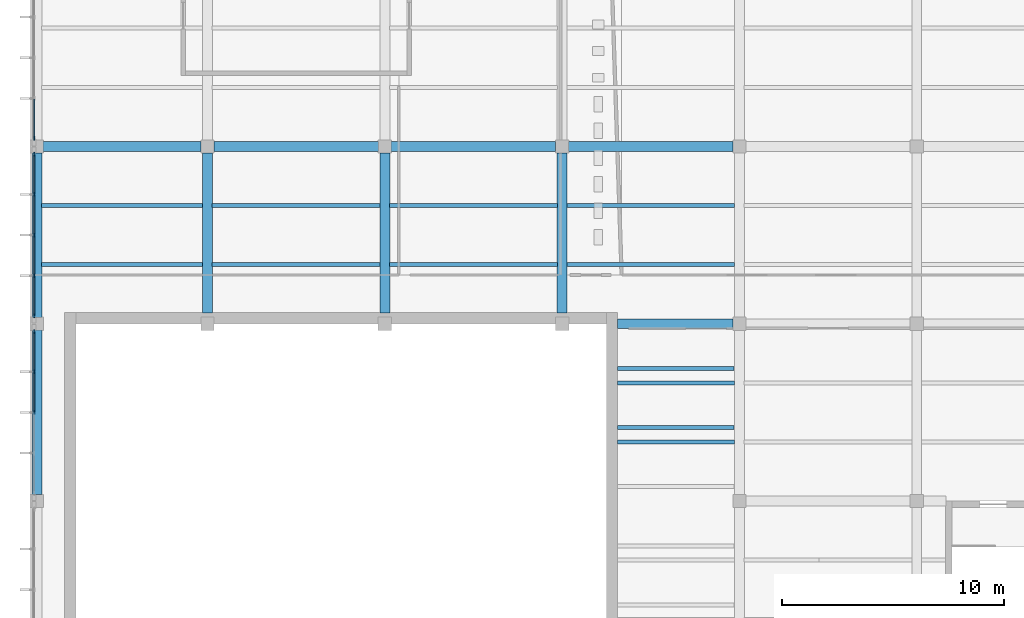
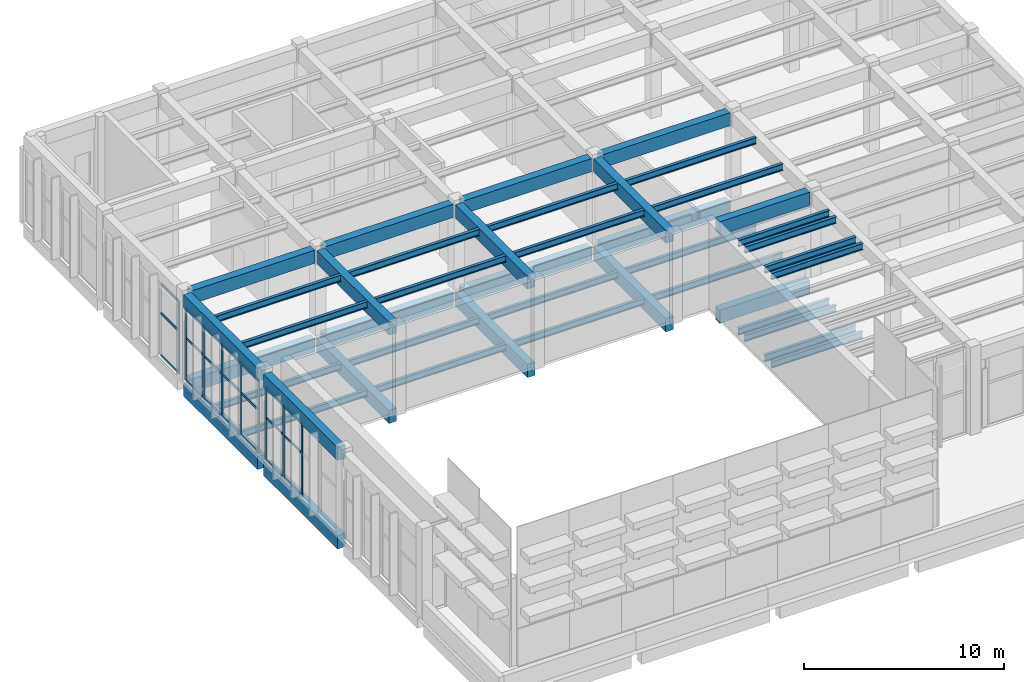
# One storey, part 6 of 94: 44 beams, 30 members, 3 elements without a shape of their own.
"""IFC4 building model written with IfcOpenShell, lengths in metres."""

import ifcopenshell
import ifcopenshell.guid

model = None  # the IFC model being written
_history = None  # IfcOwnerHistory: only IFC2X3 demands one
_inside = {}  # id of a spatial element -> (the spatial element, [elements in it])
_under = {}  # id of a project, library or spatial element -> (it, [spatial elements below it])
_declared = {}  # id of a project -> (the project, [libraries it declares])
_typed = {}  # id of a type object -> (the type object, [elements of that type])
_made_of = {}  # id of a material, layer set ... -> (it, [elements and type objects made of it])


def new_model(schema):
    """Start an empty IFC model of exactly this schema.

    Asked for "IFC4X3", IfcOpenShell would pick the latest addendum, in which some entities
    have other attributes; the version numbers below select the first issue.
    IFC2X3 requires an IfcOwnerHistory on every rooted entity: one is made here for all.
    """
    global model, _history
    if schema == "IFC4X3":
        model = ifcopenshell.file(schema_version=(4, 3, 0, 0))
    else:
        model = ifcopenshell.file(schema=schema)
    _inside.clear()
    _under.clear()
    _declared.clear()
    _typed.clear()
    _made_of.clear()
    _history = None
    if model.schema == "IFC2X3":
        org = make("IfcOrganization", Name="unknown")
        user = make(
            "IfcPersonAndOrganization",
            ThePerson=make("IfcPerson", FamilyName="unknown"),
            TheOrganization=org,
        )
        app = make(
            "IfcApplication",
            ApplicationDeveloper=org,
            Version="unknown",
            ApplicationFullName="unknown",
            ApplicationIdentifier="unknown",
        )
        _history = make(
            "IfcOwnerHistory",
            OwningUser=user,
            OwningApplication=app,
            ChangeAction="ADDED",
            CreationDate=0,
        )
    return model


def make(cls, **values):
    """One entity of the class cls with the attributes given. An attribute that is None is left unset."""
    return model.create_entity(
        cls, **{name: value for name, value in values.items() if value is not None}
    )


def rooted(cls, **values):
    """An entity with a GlobalId (a new one), such as an element, a storey or a relation."""
    return make(cls, GlobalId=ifcopenshell.guid.new(), OwnerHistory=_history, **values)


def si_unit(unit_type, name, prefix=None):
    """IfcSIUnit, for example si_unit("LENGTHUNIT", "METRE", prefix="MILLI")."""
    return make("IfcSIUnit", UnitType=unit_type, Prefix=prefix, Name=name)


def assignment(units):
    """IfcUnitAssignment: the units of a project."""
    return None if units is None else make("IfcUnitAssignment", Units=units)


def point(xyz):
    """IfcCartesianPoint."""
    return None if xyz is None else make("IfcCartesianPoint", Coordinates=xyz)


def direction(xyz):
    """IfcDirection."""
    return None if xyz is None else make("IfcDirection", DirectionRatios=xyz)


def frame(location, z_axis=None, x_axis=None):
    """IfcAxis2Placement3D, a coordinate frame: its origin and axes. An axis left out is left unset."""
    return make(
        "IfcAxis2Placement3D",
        Location=point(location),
        Axis=direction(z_axis),
        RefDirection=direction(x_axis),
    )


def frame_2d(location, x_axis=None):
    """IfcAxis2Placement2D, a coordinate frame in the plane: its origin and x axis."""
    return make(
        "IfcAxis2Placement2D", Location=point(location), RefDirection=direction(x_axis)
    )


def origin():
    """The frame at (0, 0, 0) with its axes left unset."""
    return frame((0.0, 0.0, 0.0))


def origin_2d():
    """The frame at (0, 0) in the plane with its x axis left unset."""
    return frame_2d((0.0, 0.0))


def place(relative_to, where):
    """IfcLocalPlacement: puts the frame where relative to a parent placement (None: the world)."""
    return make(
        "IfcLocalPlacement", PlacementRelTo=relative_to, RelativePlacement=where
    )


def context(
    kind, dimensions, precision=None, world=None, true_north=None, identifier=None
):
    """IfcGeometricRepresentationContext, for example the 3D "Model" context."""
    return make(
        "IfcGeometricRepresentationContext",
        ContextIdentifier=identifier,
        ContextType=kind,
        CoordinateSpaceDimension=dimensions,
        Precision=precision,
        WorldCoordinateSystem=world,
        TrueNorth=true_north,
    )


def subcontext(parent, identifier, kind, view, scale=None):
    """IfcGeometricRepresentationSubContext, for example "Body" below "Model"."""
    return make(
        "IfcGeometricRepresentationSubContext",
        ContextIdentifier=identifier,
        ContextType=kind,
        ParentContext=parent,
        TargetScale=scale,
        TargetView=view,
    )


def project(units=None, contexts=None):
    """IfcProject with its units and contexts."""
    return rooted(
        "IfcProject",
        Name="project",
        RepresentationContexts=contexts,
        UnitsInContext=assignment(units),
    )


def spatial(cls, under=None, at=None, **own):
    """A site, building, storey or space (cls), placed at a placement, below another one or the project."""
    s = rooted(cls, ObjectPlacement=at, **own)
    if under is not None:
        _under.setdefault(under.id(), (under, []))[1].append(s)
    return s


def profile(cls, at=None, kind="AREA", **sizes):
    """A parametric profile (cls). Its sizes go by their IFC names, for example OverallWidth=200.0."""
    return make(cls, ProfileType=kind, Position=at, **sizes)


def rectangle(**sizes):
    """IfcRectangleProfileDef."""
    return profile("IfcRectangleProfileDef", **sizes)


def i_section(**sizes):
    """IfcIShapeProfileDef."""
    return profile("IfcIShapeProfileDef", **sizes)


def extrude(swept, where, along, depth):
    """IfcExtrudedAreaSolid: the profile swept, set in the frame where, extruded along a direction by depth."""
    return make(
        "IfcExtrudedAreaSolid",
        SweptArea=swept,
        Position=where,
        ExtrudedDirection=direction(along),
        Depth=depth,
    )


def shape(context_of_items, identifier, shape_type, items):
    """IfcShapeRepresentation: the items that make up one representation, for example the "Body"."""
    return make(
        "IfcShapeRepresentation",
        ContextOfItems=context_of_items,
        RepresentationIdentifier=identifier,
        RepresentationType=shape_type,
        Items=items,
    )


def material(Name=None, Category=None):
    """IfcMaterial."""
    return make("IfcMaterial", Name=Name, Category=Category)


def layer(
    of_material, thickness, ventilated=None, Name=None, Category=None, Priority=None
):
    """IfcMaterialLayer: one layer of a wall or slab, of a material (None: an air gap)."""
    return make(
        "IfcMaterialLayer",
        Material=of_material,
        LayerThickness=thickness,
        IsVentilated=ventilated,
        Name=Name,
        Category=Category,
        Priority=Priority,
    )


def layer_set(layers, Name=None):
    """IfcMaterialLayerSet."""
    return make("IfcMaterialLayerSet", MaterialLayers=layers, LayerSetName=Name)


def material_profile(
    of_material, cross_section, Name=None, Category=None, Priority=None
):
    """IfcMaterialProfile: a cross section and its material."""
    return make(
        "IfcMaterialProfile",
        Name=Name,
        Material=of_material,
        Profile=cross_section,
        Priority=Priority,
        Category=Category,
    )


def profile_set(profiles, Name=None, composite=None):
    """IfcMaterialProfileSet."""
    return make(
        "IfcMaterialProfileSet",
        Name=Name,
        MaterialProfiles=profiles,
        CompositeProfile=composite,
    )


def made_of(thing, what):
    """Note that an element or type object is made of a material, layer set ...; save() writes the relation."""
    if what is not None:
        _made_of.setdefault(what.id(), (what, []))[1].append(thing)
    return thing


def type_object(cls, material=None, **own):
    """A type object (cls), such as IfcWallType, which elements share."""
    return made_of(rooted(cls, **own), material)


def element(
    cls,
    number,
    at=None,
    inside=None,
    cuts=None,
    type_object=None,
    material=None,
    context=None,
    identifier="Body",
    shape_type=None,
    held_by="IfcProductDefinitionShape",
    body=None,
    shapes=None,
    **own,
):
    """One element of the class cls, such as IfcWall. Its Tag is "e" and its number.

    at: its placement. inside: the storey or other place that contains it. cuts: it is an
    opening in that element (IfcRelVoidsElement). A single representation is given by context,
    identifier, shape_type and body (its items); several are given by shapes. held_by: the class
    of the entity that holds the representations. save() writes the other relations.
    """
    e = rooted(cls, Tag="e%d" % number, ObjectPlacement=at, **own)
    if body is not None:
        shapes = [shape(context, identifier, shape_type, body)]
    if shapes is not None:
        e.Representation = make(held_by, Representations=shapes)
    if inside is not None:
        _inside.setdefault(inside.id(), (inside, []))[1].append(e)
    if cuts is not None:
        rooted(
            "IfcRelVoidsElement", RelatingBuildingElement=cuts, RelatedOpeningElement=e
        )
    if type_object is not None:
        _typed.setdefault(type_object.id(), (type_object, []))[1].append(e)
    return made_of(e, material)


def aggregate(whole, parts):
    """IfcRelAggregates: a whole, such as a stair, and the parts it consists of."""
    return rooted("IfcRelAggregates", RelatingObject=whole, RelatedObjects=parts)


def save(model, path):
    """Write the relations noted so far, then the file.

    IfcRelAggregates (storeys below a building ...), IfcRelContainedInSpatialStructure (elements
    in a storey), IfcRelDefinesByType, IfcRelAssociatesMaterial and IfcRelDeclares: one each for
    every whole, place, type object, material and project.
    """
    for whole, parts in _under.values():
        aggregate(whole, parts)
    for where, things in _inside.values():
        rooted(
            "IfcRelContainedInSpatialStructure",
            RelatedElements=things,
            RelatingStructure=where,
        )
    for kind, things in _typed.values():
        rooted("IfcRelDefinesByType", RelatedObjects=things, RelatingType=kind)
    for what, things in _made_of.values():
        rooted("IfcRelAssociatesMaterial", RelatedObjects=things, RelatingMaterial=what)
    for by, libraries in _declared.values():
        rooted("IfcRelDeclares", RelatingContext=by, RelatedDefinitions=libraries)
    model.write(path)


model = new_model("IFC4")

# Units and contexts
model_context = context("Model", 3, precision=1e-05, world=origin(), true_north=direction((0.0, 1.0)))
body_context = subcontext(model_context, "Body", "Model", "MODEL_VIEW")
ifc_project = project(units=[si_unit("LENGTHUNIT", "METRE"), si_unit("AREAUNIT", "SQUARE_METRE"), si_unit("VOLUMEUNIT", "CUBIC_METRE"), si_unit("PLANEANGLEUNIT", "RADIAN"), si_unit("MASSUNIT", "GRAM", prefix="KILO")], contexts=[model_context])

# Site, building, storey
site_placement = place(None, origin())
site = spatial("IfcSite", under=ifc_project, at=site_placement, CompositionType="ELEMENT")
building_placement = place(site_placement, origin())
building = spatial("IfcBuilding", under=site, at=building_placement, Name="Lunette Opera House", CompositionType="ELEMENT")
storey_placement = place(building_placement, frame((0.0, 0.0, 22.5)))
storey = spatial("IfcBuildingStorey", under=building, at=storey_placement, Name="L04", CompositionType="ELEMENT", Elevation=22.5)

# Curtain wall, member
ifc_material_1 = material(Name="Aluminium", Category="aluminium")
ifc_layer = layer(ifc_material_1, 0.179931640625)
ifc_layer_set = layer_set([ifc_layer], Name="Aluminium")
curtain_wall_type = type_object("IfcCurtainWallType", Name="SUN FACE CURTAIN WALL", PredefinedType="NOTDEFINED", material=ifc_layer_set)
curtain_wall_1_placement = place(storey_placement, origin())
curtain_wall_1 = element("IfcCurtainWall", 1, at=curtain_wall_1_placement, inside=storey, type_object=curtain_wall_type, Name="Sun Face Curtain Wall F16 L04", PredefinedType="NOTDEFINED")
ifc_material_2 = material(Name="Aluminium", Category="aluminium")
ifc_material_profile_1 = material_profile(ifc_material_2, rectangle(XDim=0.06005859375, YDim=0.179931640625, at=origin_2d()), Name="MULLION 60 X 180")
ifc_profile_set_1 = profile_set([ifc_material_profile_1], Name="Aluminium")
member_type_1 = type_object("IfcMemberType", Name="MULLION 60 X 180", PredefinedType="MULLION", material=ifc_profile_set_1)
member_1_placement = place(storey_placement, frame((8.181884765625, 96.360107421875, 0.0), z_axis=(0.0, 0.0, 1.0), x_axis=(1.0, 0.0, 0.0)))
member_1 = element("IfcMember", 2, at=member_1_placement, type_object=member_type_1, Name="RW-X2062 mullion 5", PredefinedType="MULLION", context=body_context, shape_type="SweptSolid", body=[
    extrude(rectangle(XDim=0.06005859375, YDim=0.179931640625, at=origin_2d()), origin(), (0.0, 0.0, 1.0), 4.449951171875),
])

# Curtain wall, members
curtain_wall_2_placement = place(storey_placement, origin())
curtain_wall_2 = element("IfcCurtainWall", 3, at=curtain_wall_2_placement, inside=storey, type_object=curtain_wall_type, Name="Sun Face Curtain Wall F17 L04", PredefinedType="NOTDEFINED")
member_2_placement = place(storey_placement, frame((8.181884765625, 95.639892578125, 0.0), z_axis=(0.0, 0.0, 1.0), x_axis=(1.0, 0.0, 0.0)))
member_2 = element("IfcMember", 4, at=member_2_placement, type_object=member_type_1, Name="RW-X2063 mullion 1", PredefinedType="MULLION", context=body_context, shape_type="SweptSolid", body=[
    extrude(rectangle(XDim=0.06005859375, YDim=0.179931640625, at=origin_2d()), origin(), (0.0, 0.0, 1.0), 4.449951171875),
])
member_3_placement = place(storey_placement, frame((8.181884765625, 93.8349609375, 0.0), z_axis=(0.0, 0.0, 1.0), x_axis=(1.0, 0.0, 0.0)))
member_3 = element("IfcMember", 5, at=member_3_placement, type_object=member_type_1, Name="RW-X2063 mullion 2", PredefinedType="MULLION", context=body_context, shape_type="SweptSolid", body=[
    extrude(rectangle(XDim=0.06005859375, YDim=0.179931640625, at=origin_2d()), origin(), (0.0, 0.0, 1.0), 4.449951171875),
])
member_4_placement = place(storey_placement, frame((8.181884765625, 92.0, 0.0), z_axis=(0.0, 0.0, 1.0), x_axis=(1.0, 0.0, 0.0)))
member_4 = element("IfcMember", 6, at=member_4_placement, type_object=member_type_1, Name="RW-X2063 mullion 3", PredefinedType="MULLION", context=body_context, shape_type="SweptSolid", body=[
    extrude(rectangle(XDim=0.06005859375, YDim=0.179931640625, at=origin_2d()), origin(), (0.0, 0.0, 1.0), 4.449951171875),
])
member_5_placement = place(storey_placement, frame((8.181884765625, 90.1650390625, 0.0), z_axis=(0.0, 0.0, 1.0), x_axis=(1.0, 0.0, 0.0)))
member_5 = element("IfcMember", 7, at=member_5_placement, type_object=member_type_1, Name="RW-X2063 mullion 4", PredefinedType="MULLION", context=body_context, shape_type="SweptSolid", body=[
    extrude(rectangle(XDim=0.06005859375, YDim=0.179931640625, at=origin_2d()), origin(), (0.0, 0.0, 1.0), 4.449951171875),
])
member_6_placement = place(storey_placement, frame((8.181884765625, 88.360107421875, 0.0), z_axis=(0.0, 0.0, 1.0), x_axis=(1.0, 0.0, 0.0)))
member_6 = element("IfcMember", 8, at=member_6_placement, type_object=member_type_1, Name="RW-X2063 mullion 5", PredefinedType="MULLION", context=body_context, shape_type="SweptSolid", body=[
    extrude(rectangle(XDim=0.06005859375, YDim=0.179931640625, at=origin_2d()), origin(), (0.0, 0.0, 1.0), 4.449951171875),
])

curtain_wall_3_placement = place(storey_placement, origin())
curtain_wall_3 = element("IfcCurtainWall", 9, at=curtain_wall_3_placement, inside=storey, type_object=curtain_wall_type, Name="Sun Face Curtain Wall F18 L04", PredefinedType="NOTDEFINED")
member_7_placement = place(storey_placement, frame((8.181884765625, 87.639892578125, 0.0), z_axis=(0.0, 0.0, 1.0), x_axis=(1.0, 0.0, 0.0)))
member_7 = element("IfcMember", 10, at=member_7_placement, type_object=member_type_1, Name="RW-X2064 mullion 1", PredefinedType="MULLION", context=body_context, shape_type="SweptSolid", body=[
    extrude(rectangle(XDim=0.06005859375, YDim=0.179931640625, at=origin_2d()), origin(), (0.0, 0.0, 1.0), 4.449951171875),
])
member_8_placement = place(storey_placement, frame((8.181884765625, 85.8349609375, 0.0), z_axis=(0.0, 0.0, 1.0), x_axis=(1.0, 0.0, 0.0)))
member_8 = element("IfcMember", 11, at=member_8_placement, type_object=member_type_1, Name="RW-X2064 mullion 2", PredefinedType="MULLION", context=body_context, shape_type="SweptSolid", body=[
    extrude(rectangle(XDim=0.06005859375, YDim=0.179931640625, at=origin_2d()), origin(), (0.0, 0.0, 1.0), 4.449951171875),
])
member_9_placement = place(storey_placement, frame((8.181884765625, 84.0, 0.0), z_axis=(0.0, 0.0, 1.0), x_axis=(1.0, 0.0, 0.0)))
member_9 = element("IfcMember", 12, at=member_9_placement, type_object=member_type_1, Name="RW-X2064 mullion 3", PredefinedType="MULLION", context=body_context, shape_type="SweptSolid", body=[
    extrude(rectangle(XDim=0.06005859375, YDim=0.179931640625, at=origin_2d()), origin(), (0.0, 0.0, 1.0), 4.449951171875),
])

# Beams
ifc_material_3 = material(Name="Concrete C35/45", Category="concrete")
ifc_material_profile_2 = material_profile(ifc_material_3, rectangle(XDim=0.449951171875, YDim=0.800048828125, at=origin_2d()), Name="RC BEAM 450X800")
ifc_profile_set_2 = profile_set([ifc_material_profile_2], Name="Concrete C35/45")
beam_type_1 = type_object("IfcBeamType", Name="RC BEAM 450X800", PredefinedType="BEAM", material=ifc_profile_set_2)
for number, where, z_axis, x_axis, name in (
    (13, (8.300048828125, 80.2900390625, -0.550048828125), (0.0, 1.0, 0.0), (-1.0, 0.0, 0.0), "beam-RW-L04-L04-GY02"),
    (14, (8.300048828125, 88.2900390625, -0.550048828125), (0.0, 1.0, 0.0), (-1.0, 0.0, 0.0), "beam-RW-L04-L04-GY03"),
):
    element("IfcBeam", number, at=place(storey_placement, frame(where, z_axis=z_axis, x_axis=x_axis)), inside=storey, type_object=beam_type_1, Name=name, PredefinedType="BEAM", context=body_context, shape_type="SweptSolid", body=[
        extrude(rectangle(XDim=0.449951171875, YDim=0.800048828125, at=origin_2d()), origin(), (0.0, 0.0, 1.0), 7.419921875),
    ])
for number, where, z_axis, x_axis, name in (
    (15, (16.0, 88.489990234375, -0.550048828125), (0.0, 1.0, 0.0), (-1.0, 0.0, 0.0), "beam-RW-L04-L04-GY13"),
    (16, (24.0, 88.489990234375, -0.550048828125), (0.0, 1.0, 0.0), (-1.0, 0.0, 0.0), "beam-RW-L04-L04-GY23"),
    (17, (32.0, 88.489990234375, -0.550048828125), (0.0, 1.0, 0.0), (-1.0, 0.0, 0.0), "beam-RW-L04-L04-GY33"),
):
    element("IfcBeam", number, at=place(storey_placement, frame(where, z_axis=z_axis, x_axis=x_axis)), inside=storey, type_object=beam_type_1, Name=name, PredefinedType="BEAM", context=body_context, shape_type="SweptSolid", body=[
        extrude(rectangle(XDim=0.449951171875, YDim=0.800048828125, at=origin_2d()), origin(), (0.0, 0.0, 1.0), 7.219970703125),
    ])
beam_1_placement = place(storey_placement, frame((34.489990234375, 88.0, -0.550048828125), z_axis=(1.0, 0.0, 0.0), x_axis=(0.0, 1.0, 0.0)))
element("IfcBeam", 18, at=beam_1_placement, inside=storey, type_object=beam_type_1, Name="beam-RW-L04-L04-GX33", PredefinedType="BEAM", context=body_context, shape_type="SweptSolid", body=[
    extrude(rectangle(XDim=0.449951171875, YDim=0.800048828125, at=origin_2d()), origin(), (0.0, 0.0, 1.0), 5.219970703125),
])
beam_2_placement = place(storey_placement, frame((8.590087890625, 96.0, -0.550048828125), z_axis=(1.0, 0.0, 0.0), x_axis=(0.0, 1.0, 0.0)))
element("IfcBeam", 19, at=beam_2_placement, inside=storey, type_object=beam_type_1, Name="beam-RW-L04-L04-GX04", PredefinedType="BEAM", context=body_context, shape_type="SweptSolid", body=[
    extrude(rectangle(XDim=0.449951171875, YDim=0.800048828125, at=origin_2d()), origin(), (0.0, 0.0, 1.0), 7.119873046875),
])
for number, where, z_axis, x_axis, name in (
    (20, (16.2900390625, 96.0, -0.550048828125), (1.0, 0.0, 0.0), (0.0, 1.0, 0.0), "beam-RW-L04-L04-GX14"),
    (21, (24.2900390625, 96.0, -0.550048828125), (1.0, 0.0, 0.0), (0.0, 1.0, 0.0), "beam-RW-L04-L04-GX24"),
    (22, (32.2900390625, 96.0, -0.550048828125), (1.0, 0.0, 0.0), (0.0, 1.0, 0.0), "beam-RW-L04-L04-GX34"),
    (23, (8.300048828125, 80.2900390625, 4.85009765625), (0.0, 1.0, 0.0), (-1.0, 0.0, 0.0), "beam-RW-L04-L04R-GY02"),
    (24, (8.300048828125, 88.2900390625, 4.85009765625), (0.0, 1.0, 0.0), (-1.0, 0.0, 0.0), "beam-RW-L04-L04R-GY03"),
):
    element("IfcBeam", number, at=place(storey_placement, frame(where, z_axis=z_axis, x_axis=x_axis)), inside=storey, type_object=beam_type_1, Name=name, PredefinedType="BEAM", context=body_context, shape_type="SweptSolid", body=[
        extrude(rectangle(XDim=0.449951171875, YDim=0.800048828125, at=origin_2d()), origin(), (0.0, 0.0, 1.0), 7.419921875),
    ])
for number, where, z_axis, x_axis, name in (
    (25, (16.0, 88.489990234375, 4.85009765625), (0.0, 1.0, 0.0), (-1.0, 0.0, 0.0), "beam-RW-L04-L04R-GY13"),
    (26, (24.0, 88.489990234375, 4.85009765625), (0.0, 1.0, 0.0), (-1.0, 0.0, 0.0), "beam-RW-L04-L04R-GY23"),
    (27, (32.0, 88.489990234375, 4.85009765625), (0.0, 1.0, 0.0), (-1.0, 0.0, 0.0), "beam-RW-L04-L04R-GY33"),
):
    element("IfcBeam", number, at=place(storey_placement, frame(where, z_axis=z_axis, x_axis=x_axis)), inside=storey, type_object=beam_type_1, Name=name, PredefinedType="BEAM", context=body_context, shape_type="SweptSolid", body=[
        extrude(rectangle(XDim=0.449951171875, YDim=0.800048828125, at=origin_2d()), origin(), (0.0, 0.0, 1.0), 7.219970703125),
    ])
beam_3_placement = place(storey_placement, frame((34.489990234375, 88.0, 4.85009765625), z_axis=(1.0, 0.0, 0.0), x_axis=(0.0, 1.0, 0.0)))
element("IfcBeam", 28, at=beam_3_placement, inside=storey, type_object=beam_type_1, Name="beam-RW-L04-L04R-GX33", PredefinedType="BEAM", context=body_context, shape_type="SweptSolid", body=[
    extrude(rectangle(XDim=0.449951171875, YDim=0.800048828125, at=origin_2d()), origin(), (0.0, 0.0, 1.0), 5.219970703125),
])
beam_4_placement = place(storey_placement, frame((8.590087890625, 96.0, 4.85009765625), z_axis=(1.0, 0.0, 0.0), x_axis=(0.0, 1.0, 0.0)))
element("IfcBeam", 29, at=beam_4_placement, inside=storey, type_object=beam_type_1, Name="beam-RW-L04-L04R-GX04", PredefinedType="BEAM", context=body_context, shape_type="SweptSolid", body=[
    extrude(rectangle(XDim=0.449951171875, YDim=0.800048828125, at=origin_2d()), origin(), (0.0, 0.0, 1.0), 7.119873046875),
])
for number, where, z_axis, x_axis, name in (
    (30, (16.2900390625, 96.0, 4.85009765625), (1.0, 0.0, 0.0), (0.0, 1.0, 0.0), "beam-RW-L04-L04R-GX14"),
    (31, (24.2900390625, 96.0, 4.85009765625), (1.0, 0.0, 0.0), (0.0, 1.0, 0.0), "beam-RW-L04-L04R-GX24"),
    (32, (32.2900390625, 96.0, 4.85009765625), (1.0, 0.0, 0.0), (0.0, 1.0, 0.0), "beam-RW-L04-L04R-GX34"),
):
    element("IfcBeam", number, at=place(storey_placement, frame(where, z_axis=z_axis, x_axis=x_axis)), inside=storey, type_object=beam_type_1, Name=name, PredefinedType="BEAM", context=body_context, shape_type="SweptSolid", body=[
        extrude(rectangle(XDim=0.449951171875, YDim=0.800048828125, at=origin_2d()), origin(), (0.0, 0.0, 1.0), 7.419921875),
    ])
ifc_material_4 = material(Name="Steel S355", Category="steel")
ifc_material_profile_3 = material_profile(ifc_material_4, i_section(OverallWidth=0.179931640625, OverallDepth=0.39990234375, WebThickness=0.008544921875, FlangeThickness=0.013427734375, FilletRadius=0.02099609375, at=origin_2d()), Name="IPE 400")
ifc_profile_set_3 = profile_set([ifc_material_profile_3], Name="Steel S355")
beam_type_2 = type_object("IfcBeamType", Name="STEEL BEAM IPE 400", PredefinedType="BEAM", material=ifc_profile_set_3)
for number, where, z_axis, x_axis, name in (
    (33, (8.514892578125, 90.6669921875, -0.35009765625), (1.0, 0.0, 0.0), (0.0, 1.0, 0.0), "beam-RW-L04-L04-SX031"),
    (34, (8.514892578125, 93.3330078125, -0.35009765625), (1.0, 0.0, 0.0), (0.0, 1.0, 0.0), "beam-RW-L04-L04-SX032"),
):
    element("IfcBeam", number, at=place(storey_placement, frame(where, z_axis=z_axis, x_axis=x_axis)), inside=storey, type_object=beam_type_2, Name=name, PredefinedType="BEAM", context=body_context, shape_type="SweptSolid", body=[
        extrude(i_section(OverallWidth=0.179931640625, OverallDepth=0.39990234375, WebThickness=0.008544921875, FlangeThickness=0.013427734375, FilletRadius=0.02099609375, at=origin_2d()), origin(), (0.0, 0.0, 1.0), 7.27001953125),
    ])
for number, where, z_axis, x_axis, name in (
    (35, (16.215087890625, 90.6669921875, -0.35009765625), (1.0, 0.0, 0.0), (0.0, 1.0, 0.0), "beam-RW-L04-L04-SX131"),
    (36, (16.215087890625, 93.3330078125, -0.35009765625), (1.0, 0.0, 0.0), (0.0, 1.0, 0.0), "beam-RW-L04-L04-SX132"),
    (37, (24.215087890625, 90.6669921875, -0.35009765625), (1.0, 0.0, 0.0), (0.0, 1.0, 0.0), "beam-RW-L04-L04-SX231"),
    (38, (24.215087890625, 93.3330078125, -0.35009765625), (1.0, 0.0, 0.0), (0.0, 1.0, 0.0), "beam-RW-L04-L04-SX232"),
):
    element("IfcBeam", number, at=place(storey_placement, frame(where, z_axis=z_axis, x_axis=x_axis)), inside=storey, type_object=beam_type_2, Name=name, PredefinedType="BEAM", context=body_context, shape_type="SweptSolid", body=[
        extrude(i_section(OverallWidth=0.179931640625, OverallDepth=0.39990234375, WebThickness=0.008544921875, FlangeThickness=0.013427734375, FilletRadius=0.02099609375, at=origin_2d()), origin(), (0.0, 0.0, 1.0), 7.56982421875),
    ])
for number, where, z_axis, x_axis, name in (
    (39, (34.5, 82.6669921875, -0.35009765625), (1.0, 0.0, 0.0), (0.0, 1.0, 0.0), "beam-RW-L04-L04-SX321-01"),
    (40, (34.5, 85.3330078125, -0.35009765625), (1.0, 0.0, 0.0), (0.0, 1.0, 0.0), "beam-RW-L04-L04-SX322-01"),
):
    element("IfcBeam", number, at=place(storey_placement, frame(where, z_axis=z_axis, x_axis=x_axis)), inside=storey, type_object=beam_type_2, Name=name, PredefinedType="BEAM", context=body_context, shape_type="SweptSolid", body=[
        extrude(i_section(OverallWidth=0.179931640625, OverallDepth=0.39990234375, WebThickness=0.008544921875, FlangeThickness=0.013427734375, FilletRadius=0.02099609375, at=origin_2d()), origin(), (0.0, 0.0, 1.0), 5.284912109375),
    ])
for number, where, z_axis, x_axis, name in (
    (41, (32.215087890625, 90.6669921875, -0.35009765625), (1.0, 0.0, 0.0), (0.0, 1.0, 0.0), "beam-RW-L04-L04-SX331"),
    (42, (32.215087890625, 93.3330078125, -0.35009765625), (1.0, 0.0, 0.0), (0.0, 1.0, 0.0), "beam-RW-L04-L04-SX332"),
):
    element("IfcBeam", number, at=place(storey_placement, frame(where, z_axis=z_axis, x_axis=x_axis)), inside=storey, type_object=beam_type_2, Name=name, PredefinedType="BEAM", context=body_context, shape_type="SweptSolid", body=[
        extrude(i_section(OverallWidth=0.179931640625, OverallDepth=0.39990234375, WebThickness=0.008544921875, FlangeThickness=0.013427734375, FilletRadius=0.02099609375, at=origin_2d()), origin(), (0.0, 0.0, 1.0), 7.56982421875),
    ])
for number, where, z_axis, x_axis, name in (
    (43, (34.5, 83.320068359375, -0.35009765625), (1.0, 0.0, 0.0), (0.0, 1.0, 0.0), "beam-RW-L04-L04-RJE10666"),
    (44, (34.5, 85.989990234375, -0.35009765625), (1.0, 0.0, 0.0), (0.0, 1.0, 0.0), "beam-RW-L04-L04-RJE10667"),
):
    element("IfcBeam", number, at=place(storey_placement, frame(where, z_axis=z_axis, x_axis=x_axis)), inside=storey, type_object=beam_type_2, Name=name, PredefinedType="BEAM", context=body_context, shape_type="SweptSolid", body=[
        extrude(i_section(OverallWidth=0.179931640625, OverallDepth=0.39990234375, WebThickness=0.008544921875, FlangeThickness=0.013427734375, FilletRadius=0.02099609375, at=origin_2d()), origin(), (0.0, 0.0, 1.0), 5.264892578125),
    ])
for number, where, z_axis, x_axis, name in (
    (45, (8.514892578125, 90.6669921875, 5.050048828125), (1.0, 0.0, 0.0), (0.0, 1.0, 0.0), "beam-RW-L04-L04R-SX031"),
    (46, (8.514892578125, 93.3330078125, 5.050048828125), (1.0, 0.0, 0.0), (0.0, 1.0, 0.0), "beam-RW-L04-L04R-SX032"),
):
    element("IfcBeam", number, at=place(storey_placement, frame(where, z_axis=z_axis, x_axis=x_axis)), inside=storey, type_object=beam_type_2, Name=name, PredefinedType="BEAM", context=body_context, shape_type="SweptSolid", body=[
        extrude(i_section(OverallWidth=0.179931640625, OverallDepth=0.39990234375, WebThickness=0.008544921875, FlangeThickness=0.013427734375, FilletRadius=0.02099609375, at=origin_2d()), origin(), (0.0, 0.0, 1.0), 7.27001953125),
    ])
for number, where, z_axis, x_axis, name in (
    (47, (16.215087890625, 90.6669921875, 5.050048828125), (1.0, 0.0, 0.0), (0.0, 1.0, 0.0), "beam-RW-L04-L04R-SX131"),
    (48, (16.215087890625, 93.3330078125, 5.050048828125), (1.0, 0.0, 0.0), (0.0, 1.0, 0.0), "beam-RW-L04-L04R-SX132"),
    (49, (24.215087890625, 90.6669921875, 5.050048828125), (1.0, 0.0, 0.0), (0.0, 1.0, 0.0), "beam-RW-L04-L04R-SX231"),
    (50, (24.215087890625, 93.3330078125, 5.050048828125), (1.0, 0.0, 0.0), (0.0, 1.0, 0.0), "beam-RW-L04-L04R-SX232"),
):
    element("IfcBeam", number, at=place(storey_placement, frame(where, z_axis=z_axis, x_axis=x_axis)), inside=storey, type_object=beam_type_2, Name=name, PredefinedType="BEAM", context=body_context, shape_type="SweptSolid", body=[
        extrude(i_section(OverallWidth=0.179931640625, OverallDepth=0.39990234375, WebThickness=0.008544921875, FlangeThickness=0.013427734375, FilletRadius=0.02099609375, at=origin_2d()), origin(), (0.0, 0.0, 1.0), 7.56982421875),
    ])
for number, where, z_axis, x_axis, name in (
    (51, (34.5, 82.6669921875, 5.050048828125), (1.0, 0.0, 0.0), (0.0, 1.0, 0.0), "beam-RW-L04-L04R-SX321-01"),
    (52, (34.5, 85.3330078125, 5.050048828125), (1.0, 0.0, 0.0), (0.0, 1.0, 0.0), "beam-RW-L04-L04R-SX322-01"),
):
    element("IfcBeam", number, at=place(storey_placement, frame(where, z_axis=z_axis, x_axis=x_axis)), inside=storey, type_object=beam_type_2, Name=name, PredefinedType="BEAM", context=body_context, shape_type="SweptSolid", body=[
        extrude(i_section(OverallWidth=0.179931640625, OverallDepth=0.39990234375, WebThickness=0.008544921875, FlangeThickness=0.013427734375, FilletRadius=0.02099609375, at=origin_2d()), origin(), (0.0, 0.0, 1.0), 5.284912109375),
    ])
for number, where, z_axis, x_axis, name in (
    (53, (32.215087890625, 90.6669921875, 5.050048828125), (1.0, 0.0, 0.0), (0.0, 1.0, 0.0), "beam-RW-L04-L04R-SX331"),
    (54, (32.215087890625, 93.3330078125, 5.050048828125), (1.0, 0.0, 0.0), (0.0, 1.0, 0.0), "beam-RW-L04-L04R-SX332"),
):
    element("IfcBeam", number, at=place(storey_placement, frame(where, z_axis=z_axis, x_axis=x_axis)), inside=storey, type_object=beam_type_2, Name=name, PredefinedType="BEAM", context=body_context, shape_type="SweptSolid", body=[
        extrude(i_section(OverallWidth=0.179931640625, OverallDepth=0.39990234375, WebThickness=0.008544921875, FlangeThickness=0.013427734375, FilletRadius=0.02099609375, at=origin_2d()), origin(), (0.0, 0.0, 1.0), 7.56982421875),
    ])
for number, where, z_axis, x_axis, name in (
    (55, (34.5, 83.320068359375, 5.050048828125), (1.0, 0.0, 0.0), (0.0, 1.0, 0.0), "beam-RW-L04-L04R-RJE10666"),
    (56, (34.5, 85.989990234375, 5.050048828125), (1.0, 0.0, 0.0), (0.0, 1.0, 0.0), "beam-RW-L04-L04R-RJE10667"),
):
    element("IfcBeam", number, at=place(storey_placement, frame(where, z_axis=z_axis, x_axis=x_axis)), inside=storey, type_object=beam_type_2, Name=name, PredefinedType="BEAM", context=body_context, shape_type="SweptSolid", body=[
        extrude(i_section(OverallWidth=0.179931640625, OverallDepth=0.39990234375, WebThickness=0.008544921875, FlangeThickness=0.013427734375, FilletRadius=0.02099609375, at=origin_2d()), origin(), (0.0, 0.0, 1.0), 5.264892578125),
    ])

# Member
ifc_material_5 = material(Name="Aluminium", Category="aluminium")
ifc_material_profile_4 = material_profile(ifc_material_5, rectangle(XDim=0.06005859375, YDim=0.139892578125, at=origin_2d()), Name="TRANSOM 60 X 140")
ifc_profile_set_4 = profile_set([ifc_material_profile_4], Name="Aluminium")
member_type_2 = type_object("IfcMemberType", Name="TRANSOM 60 X 140", PredefinedType="USERDEFINED", material=ifc_profile_set_4)
member_10_placement = place(storey_placement, frame((8.181884765625, 98.135009765625, 0.030029296875), z_axis=(0.0, -1.0, 0.0), x_axis=(1.0, 0.0, 0.0)))
member_10 = element("IfcMember", 57, at=member_10_placement, type_object=member_type_2, Name="RW-X2062 transom 4.1", ObjectType="TRANSOM", PredefinedType="USERDEFINED", context=body_context, shape_type="SweptSolid", body=[
    extrude(rectangle(XDim=0.06005859375, YDim=0.139892578125, at=origin_2d()), origin(), (0.0, 0.0, 1.0), 1.7451171875),
])

member_11_placement = place(storey_placement, frame((8.181884765625, 98.135009765625, 2.625), z_axis=(0.0, -1.0, 0.0), x_axis=(1.0, 0.0, 0.0)))
member_11 = element("IfcMember", 58, at=member_11_placement, type_object=member_type_2, Name="RW-X2062 transom 4.2", ObjectType="TRANSOM", PredefinedType="USERDEFINED", context=body_context, shape_type="SweptSolid", body=[
    extrude(rectangle(XDim=0.06005859375, YDim=0.139892578125, at=origin_2d()), origin(), (0.0, 0.0, 1.0), 1.7451171875),
])

member_12_placement = place(storey_placement, frame((8.181884765625, 98.135009765625, 4.419921875), z_axis=(0.0, -1.0, 0.0), x_axis=(1.0, 0.0, 0.0)))
member_12 = element("IfcMember", 59, at=member_12_placement, type_object=member_type_2, Name="RW-X2062 transom 4.3", ObjectType="TRANSOM", PredefinedType="USERDEFINED", context=body_context, shape_type="SweptSolid", body=[
    extrude(rectangle(XDim=0.06005859375, YDim=0.139892578125, at=origin_2d()), origin(), (0.0, 0.0, 1.0), 1.7451171875),
])

aggregate(curtain_wall_1, [member_1, member_10, member_11, member_12])

member_13_placement = place(storey_placement, frame((8.181884765625, 95.610107421875, 0.030029296875), z_axis=(0.0, -1.0, 0.0), x_axis=(1.0, 0.0, 0.0)))
member_13 = element("IfcMember", 60, at=member_13_placement, type_object=member_type_2, Name="RW-X2063 transom 1.1", ObjectType="TRANSOM", PredefinedType="USERDEFINED", context=body_context, shape_type="SweptSolid", body=[
    extrude(rectangle(XDim=0.06005859375, YDim=0.139892578125, at=origin_2d()), origin(), (0.0, 0.0, 1.0), 1.7451171875),
])

member_14_placement = place(storey_placement, frame((8.181884765625, 95.610107421875, 2.625), z_axis=(0.0, -1.0, 0.0), x_axis=(1.0, 0.0, 0.0)))
member_14 = element("IfcMember", 61, at=member_14_placement, type_object=member_type_2, Name="RW-X2063 transom 1.2", ObjectType="TRANSOM", PredefinedType="USERDEFINED", context=body_context, shape_type="SweptSolid", body=[
    extrude(rectangle(XDim=0.06005859375, YDim=0.139892578125, at=origin_2d()), origin(), (0.0, 0.0, 1.0), 1.7451171875),
])

member_15_placement = place(storey_placement, frame((8.181884765625, 95.610107421875, 4.419921875), z_axis=(0.0, -1.0, 0.0), x_axis=(1.0, 0.0, 0.0)))
member_15 = element("IfcMember", 62, at=member_15_placement, type_object=member_type_2, Name="RW-X2063 transom 1.3", ObjectType="TRANSOM", PredefinedType="USERDEFINED", context=body_context, shape_type="SweptSolid", body=[
    extrude(rectangle(XDim=0.06005859375, YDim=0.139892578125, at=origin_2d()), origin(), (0.0, 0.0, 1.0), 1.7451171875),
])

member_16_placement = place(storey_placement, frame((8.181884765625, 93.804931640625, 0.030029296875), z_axis=(0.0, -1.0, 0.0), x_axis=(1.0, 0.0, 0.0)))
member_16 = element("IfcMember", 63, at=member_16_placement, type_object=member_type_2, Name="RW-X2063 transom 2.1", ObjectType="TRANSOM", PredefinedType="USERDEFINED", context=body_context, shape_type="SweptSolid", body=[
    extrude(rectangle(XDim=0.06005859375, YDim=0.139892578125, at=origin_2d()), origin(), (0.0, 0.0, 1.0), 1.77490234375),
])

member_17_placement = place(storey_placement, frame((8.181884765625, 93.804931640625, 2.625), z_axis=(0.0, -1.0, 0.0), x_axis=(1.0, 0.0, 0.0)))
member_17 = element("IfcMember", 64, at=member_17_placement, type_object=member_type_2, Name="RW-X2063 transom 2.2", ObjectType="TRANSOM", PredefinedType="USERDEFINED", context=body_context, shape_type="SweptSolid", body=[
    extrude(rectangle(XDim=0.06005859375, YDim=0.139892578125, at=origin_2d()), origin(), (0.0, 0.0, 1.0), 1.77490234375),
])

member_18_placement = place(storey_placement, frame((8.181884765625, 93.804931640625, 4.419921875), z_axis=(0.0, -1.0, 0.0), x_axis=(1.0, 0.0, 0.0)))
member_18 = element("IfcMember", 65, at=member_18_placement, type_object=member_type_2, Name="RW-X2063 transom 2.3", ObjectType="TRANSOM", PredefinedType="USERDEFINED", context=body_context, shape_type="SweptSolid", body=[
    extrude(rectangle(XDim=0.06005859375, YDim=0.139892578125, at=origin_2d()), origin(), (0.0, 0.0, 1.0), 1.77490234375),
])

member_19_placement = place(storey_placement, frame((8.181884765625, 91.969970703125, 0.030029296875), z_axis=(0.0, -1.0, 0.0), x_axis=(1.0, 0.0, 0.0)))
member_19 = element("IfcMember", 66, at=member_19_placement, type_object=member_type_2, Name="RW-X2063 transom 3.1", ObjectType="TRANSOM", PredefinedType="USERDEFINED", context=body_context, shape_type="SweptSolid", body=[
    extrude(rectangle(XDim=0.06005859375, YDim=0.139892578125, at=origin_2d()), origin(), (0.0, 0.0, 1.0), 1.77490234375),
])

member_20_placement = place(storey_placement, frame((8.181884765625, 91.969970703125, 2.625), z_axis=(0.0, -1.0, 0.0), x_axis=(1.0, 0.0, 0.0)))
member_20 = element("IfcMember", 67, at=member_20_placement, type_object=member_type_2, Name="RW-X2063 transom 3.2", ObjectType="TRANSOM", PredefinedType="USERDEFINED", context=body_context, shape_type="SweptSolid", body=[
    extrude(rectangle(XDim=0.06005859375, YDim=0.139892578125, at=origin_2d()), origin(), (0.0, 0.0, 1.0), 1.77490234375),
])

member_21_placement = place(storey_placement, frame((8.181884765625, 91.969970703125, 4.419921875), z_axis=(0.0, -1.0, 0.0), x_axis=(1.0, 0.0, 0.0)))
member_21 = element("IfcMember", 68, at=member_21_placement, type_object=member_type_2, Name="RW-X2063 transom 3.3", ObjectType="TRANSOM", PredefinedType="USERDEFINED", context=body_context, shape_type="SweptSolid", body=[
    extrude(rectangle(XDim=0.06005859375, YDim=0.139892578125, at=origin_2d()), origin(), (0.0, 0.0, 1.0), 1.77490234375),
])

member_22_placement = place(storey_placement, frame((8.181884765625, 90.135009765625, 0.030029296875), z_axis=(0.0, -1.0, 0.0), x_axis=(1.0, 0.0, 0.0)))
member_22 = element("IfcMember", 69, at=member_22_placement, type_object=member_type_2, Name="RW-X2063 transom 4.1", ObjectType="TRANSOM", PredefinedType="USERDEFINED", context=body_context, shape_type="SweptSolid", body=[
    extrude(rectangle(XDim=0.06005859375, YDim=0.139892578125, at=origin_2d()), origin(), (0.0, 0.0, 1.0), 1.7451171875),
])

member_23_placement = place(storey_placement, frame((8.181884765625, 90.135009765625, 2.625), z_axis=(0.0, -1.0, 0.0), x_axis=(1.0, 0.0, 0.0)))
member_23 = element("IfcMember", 70, at=member_23_placement, type_object=member_type_2, Name="RW-X2063 transom 4.2", ObjectType="TRANSOM", PredefinedType="USERDEFINED", context=body_context, shape_type="SweptSolid", body=[
    extrude(rectangle(XDim=0.06005859375, YDim=0.139892578125, at=origin_2d()), origin(), (0.0, 0.0, 1.0), 1.7451171875),
])

member_24_placement = place(storey_placement, frame((8.181884765625, 90.135009765625, 4.419921875), z_axis=(0.0, -1.0, 0.0), x_axis=(1.0, 0.0, 0.0)))
member_24 = element("IfcMember", 71, at=member_24_placement, type_object=member_type_2, Name="RW-X2063 transom 4.3", ObjectType="TRANSOM", PredefinedType="USERDEFINED", context=body_context, shape_type="SweptSolid", body=[
    extrude(rectangle(XDim=0.06005859375, YDim=0.139892578125, at=origin_2d()), origin(), (0.0, 0.0, 1.0), 1.7451171875),
])

aggregate(curtain_wall_2, [member_2, member_3, member_4, member_5, member_6, member_13, member_14, member_15, member_16, member_17, member_18, member_19, member_20, member_21, member_22, member_23, member_24])

member_25_placement = place(storey_placement, frame((8.181884765625, 87.610107421875, 0.030029296875), z_axis=(0.0, -1.0, 0.0), x_axis=(1.0, 0.0, 0.0)))
member_25 = element("IfcMember", 72, at=member_25_placement, type_object=member_type_2, Name="RW-X2064 transom 1.1", ObjectType="TRANSOM", PredefinedType="USERDEFINED", context=body_context, shape_type="SweptSolid", body=[
    extrude(rectangle(XDim=0.06005859375, YDim=0.139892578125, at=origin_2d()), origin(), (0.0, 0.0, 1.0), 1.7451171875),
])

member_26_placement = place(storey_placement, frame((8.181884765625, 87.610107421875, 2.625), z_axis=(0.0, -1.0, 0.0), x_axis=(1.0, 0.0, 0.0)))
member_26 = element("IfcMember", 73, at=member_26_placement, type_object=member_type_2, Name="RW-X2064 transom 1.2", ObjectType="TRANSOM", PredefinedType="USERDEFINED", context=body_context, shape_type="SweptSolid", body=[
    extrude(rectangle(XDim=0.06005859375, YDim=0.139892578125, at=origin_2d()), origin(), (0.0, 0.0, 1.0), 1.7451171875),
])

member_27_placement = place(storey_placement, frame((8.181884765625, 87.610107421875, 4.419921875), z_axis=(0.0, -1.0, 0.0), x_axis=(1.0, 0.0, 0.0)))
member_27 = element("IfcMember", 74, at=member_27_placement, type_object=member_type_2, Name="RW-X2064 transom 1.3", ObjectType="TRANSOM", PredefinedType="USERDEFINED", context=body_context, shape_type="SweptSolid", body=[
    extrude(rectangle(XDim=0.06005859375, YDim=0.139892578125, at=origin_2d()), origin(), (0.0, 0.0, 1.0), 1.7451171875),
])

member_28_placement = place(storey_placement, frame((8.181884765625, 85.804931640625, 0.030029296875), z_axis=(0.0, -1.0, 0.0), x_axis=(1.0, 0.0, 0.0)))
member_28 = element("IfcMember", 75, at=member_28_placement, type_object=member_type_2, Name="RW-X2064 transom 2.1", ObjectType="TRANSOM", PredefinedType="USERDEFINED", context=body_context, shape_type="SweptSolid", body=[
    extrude(rectangle(XDim=0.06005859375, YDim=0.139892578125, at=origin_2d()), origin(), (0.0, 0.0, 1.0), 1.77490234375),
])

member_29_placement = place(storey_placement, frame((8.181884765625, 85.804931640625, 2.625), z_axis=(0.0, -1.0, 0.0), x_axis=(1.0, 0.0, 0.0)))
member_29 = element("IfcMember", 76, at=member_29_placement, type_object=member_type_2, Name="RW-X2064 transom 2.2", ObjectType="TRANSOM", PredefinedType="USERDEFINED", context=body_context, shape_type="SweptSolid", body=[
    extrude(rectangle(XDim=0.06005859375, YDim=0.139892578125, at=origin_2d()), origin(), (0.0, 0.0, 1.0), 1.77490234375),
])

member_30_placement = place(storey_placement, frame((8.181884765625, 85.804931640625, 4.419921875), z_axis=(0.0, -1.0, 0.0), x_axis=(1.0, 0.0, 0.0)))
member_30 = element("IfcMember", 77, at=member_30_placement, type_object=member_type_2, Name="RW-X2064 transom 2.3", ObjectType="TRANSOM", PredefinedType="USERDEFINED", context=body_context, shape_type="SweptSolid", body=[
    extrude(rectangle(XDim=0.06005859375, YDim=0.139892578125, at=origin_2d()), origin(), (0.0, 0.0, 1.0), 1.77490234375),
])

aggregate(curtain_wall_3, [member_7, member_8, member_9, member_25, member_26, member_27, member_28, member_29, member_30])

save(model, "model.ifc")
